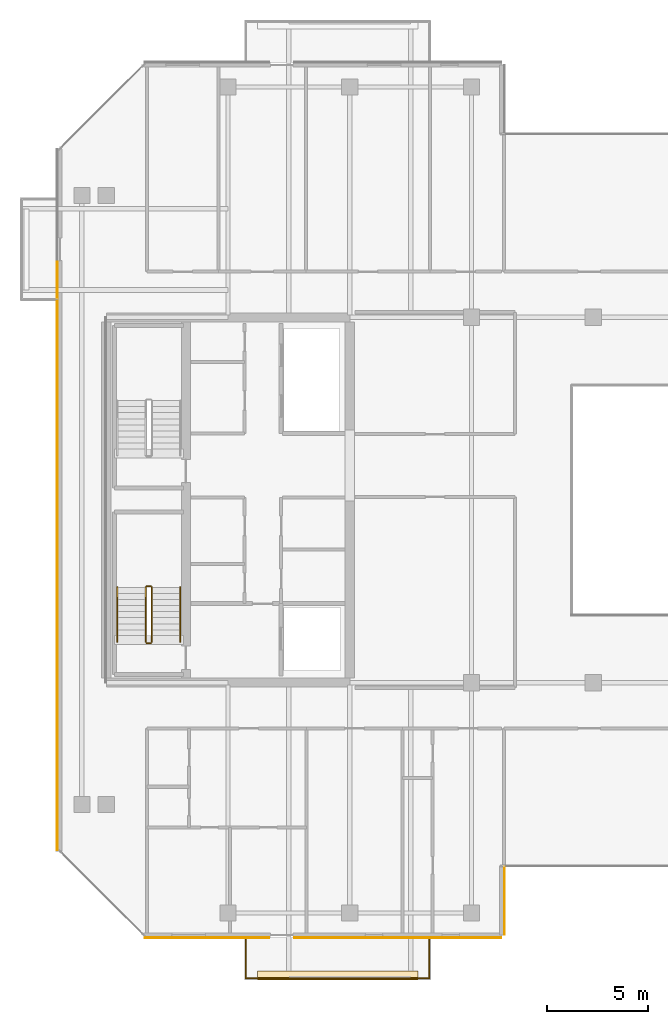
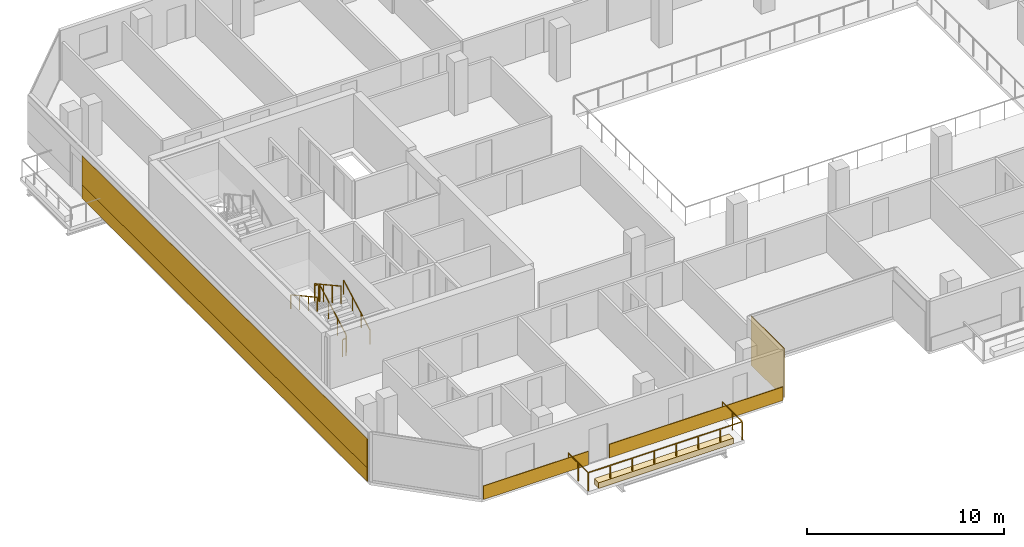
# One storey, part 25 of 29: 7 railings, 6 coverings.
"""IFC4 building model written with IfcOpenShell, lengths in metres."""

from ifc_helpers import new_model, si_unit, direction, frame, origin, origin_2d, place, context, subcontext, project, spatial, polyline, rectangle, outline, extrude, material, layer, layer_set, type_object, element, save


model = new_model("IFC4")

# Units and contexts
model_context = context("Model", 3, precision=1e-05, world=origin(), true_north=direction((0.0, 1.0)))
body_context = subcontext(model_context, "Body", "Model", "MODEL_VIEW")
ifc_project = project(units=[si_unit("LENGTHUNIT", "METRE"), si_unit("AREAUNIT", "SQUARE_METRE"), si_unit("VOLUMEUNIT", "CUBIC_METRE"), si_unit("PLANEANGLEUNIT", "RADIAN"), si_unit("MASSUNIT", "GRAM", prefix="KILO")], contexts=[model_context])

# Site, building, storey
site_placement = place(None, origin())
site = spatial("IfcSite", under=ifc_project, at=site_placement, CompositionType="ELEMENT")
building_placement = place(site_placement, origin())
building = spatial("IfcBuilding", under=site, at=building_placement, Name="Tanjung Sevakor Pilgrim Tower", CompositionType="ELEMENT")
storey_placement = place(building_placement, frame((0.0, 0.0, 181.830078125)))
storey = spatial("IfcBuildingStorey", under=building, at=storey_placement, Name="L50", CompositionType="ELEMENT", Elevation=181.830078125)

# Coverings
ifc_material_1 = material(Name="Reconstructed Limestone Cladding", Category="masonry")
ifc_layer_1 = layer(ifc_material_1, 0.044921875)
ifc_layer_set_1 = layer_set([ifc_layer_1], Name="COV-CLAD-LIMESTONE")
covering_type_1 = type_object("IfcCoveringType", Name="COV-CLAD-LIMESTONE", PredefinedType="CLADDING", material=ifc_layer_set_1)
covering_1_placement = place(storey_placement, frame((28.962890625, 12.027587890625, 0.009765625), z_axis=(0.0, 0.0, 1.0), x_axis=(1.0, 0.0, 0.0)))
element("IfcCovering", 1, at=covering_1_placement, inside=storey, type_object=covering_type_1, Name="L50 Warm Limestone Sill Spandrel EW-L50-MAIN-1-1", PredefinedType="CLADDING", context=body_context, shape_type="SweptSolid", body=[
    extrude(rectangle(XDim=6.154296875, YDim=0.044921875, at=origin_2d()), origin(), (0.0, 0.0, 1.0), 0.840087890625),
])
covering_2_placement = place(storey_placement, frame((38.35498046875, 12.027587890625, 0.009765625), z_axis=(0.0, 0.0, 1.0), x_axis=(1.0, 0.0, 0.0)))
element("IfcCovering", 2, at=covering_2_placement, inside=storey, type_object=covering_type_1, Name="L50 Warm Limestone Sill Spandrel EW-L50-MAIN-1-2", PredefinedType="CLADDING", context=body_context, shape_type="SweptSolid", body=[
    extrude(rectangle(XDim=10.18994140625, YDim=0.044921875, at=origin_2d()), origin(), (0.0, 0.0, 1.0), 0.840087890625),
])
covering_3_placement = place(storey_placement, frame((43.62255859375, 13.860107421875, 0.02001953125), z_axis=(0.0, 0.0, 1.0), x_axis=(0.0, 1.0, 0.0)))
element("IfcCovering", 3, at=covering_3_placement, inside=storey, type_object=covering_type_1, Name="L50 Warm Limestone Wall Cladding EW-L50-MAIN-2", PredefinedType="CLADDING", context=body_context, shape_type="SweptSolid", body=[
    extrude(rectangle(XDim=3.360107421875, YDim=0.044921875, at=origin_2d()), origin(), (0.0, 0.0, 1.0), 3.0400390625),
])
covering_4_placement = place(storey_placement, frame((21.577392578125, 30.837890625, 0.009765625), z_axis=(0.0, 0.0, 1.0), x_axis=(0.0, -1.0, 0.0)))
element("IfcCovering", 4, at=covering_4_placement, inside=storey, type_object=covering_type_1, Name="L50 Warm Limestone Sill Spandrel EW-L50-MAIN-15-2", PredefinedType="CLADDING", context=body_context, shape_type="SweptSolid", body=[
    extrude(rectangle(XDim=29.00439453125, YDim=0.044921875, at=origin_2d()), origin(), (0.0, 0.0, 1.0), 0.840087890625),
])
covering_5_placement = place(storey_placement, frame((21.577392578125, 30.8427734375, 0.849853515625), z_axis=(0.0, 0.0, 1.0), x_axis=(0.0, -1.0, 0.0)))
element("IfcCovering", 5, at=covering_5_placement, inside=storey, type_object=covering_type_1, Name="L50 Warm Limestone Pier Panel EW-L50-MAIN-15-2", PredefinedType="CLADDING", context=body_context, shape_type="SweptSolid", body=[
    extrude(rectangle(XDim=29.014404296875, YDim=0.044921875, at=origin_2d()), origin(), (0.0, 0.0, 1.0), 1.81005859375),
])
ifc_material_2 = material(Name="Vegetated Modular Planter Assembly", Category="organic")
ifc_layer_2 = layer(ifc_material_2, 0.35009765625)
ifc_layer_set_2 = layer_set([ifc_layer_2], Name="COV-GRN-TROUGH")
covering_type_2 = type_object("IfcCoveringType", Name="COV-GRN-TROUGH", PredefinedType="CLADDING", material=ifc_layer_set_2)
covering_6_placement = place(storey_placement, origin())
element("IfcCovering", 6, at=covering_6_placement, inside=storey, type_object=covering_type_2, Name="L50 Planted Landscape Hedge Trough BGRN-L50-MAIN-S1", PredefinedType="CLADDING", context=body_context, shape_type="SweptSolid", body=[
    extrude(outline(polyline([(31.449951171875, 9.949951171875), (39.35009765625, 9.949951171875), (39.35009765625, 10.389892578125), (31.449951171875, 10.389892578125), (31.449951171875, 9.949951171875)])), origin(), (0.0, 0.0, 1.0), 0.349853515625),
])

# Railings
ifc_material_3 = material(Name="Laminated Glass and Aluminium", Category="aluminium")
railing_type_1 = type_object("IfcRailingType", Name="RL-BAL-BALUST", PredefinedType="BALUSTRADE", material=ifc_material_3)
railing_1_placement = place(storey_placement, frame((30.8798828125, 12.050048828125, 0.0)))
element("IfcRailing", 7, at=railing_1_placement, inside=storey, type_object=railing_type_1, Name="L50 Loggia Balustrade MAIN-S1", PredefinedType="BALUSTRADE", context=body_context, shape_type="SweptSolid", body=[
    extrude(rectangle(XDim=0.0479, YDim=0.0479), frame((0.0, 0.0, 1.1259765625), z_axis=(0.0, -1.0, 0.0), x_axis=(1.0, 0.0, 0.0)), (0.0, 0.0, 1.0), 2.02001953125),
    extrude(rectangle(XDim=0.0479, YDim=0.0479), frame((0.0, -2.02001953125, 1.1259765625), z_axis=(1.0, 0.0, 0.0), x_axis=(0.0, 1.0, 0.0)), (0.0, 0.0, 1.0), 9.0400390625),
    extrude(rectangle(XDim=0.0479, YDim=0.0479), frame((9.0400390625, -2.02001953125, 1.1259765625), z_axis=(0.0, 1.0, 0.0), x_axis=(-1.0, 0.0, 0.0)), (0.0, 0.0, 1.0), 2.02001953125),
    extrude(rectangle(XDim=0.042, YDim=0.042), origin(), (0.0, 0.0, 1.0), 1.101806640625),
    extrude(rectangle(XDim=0.042, YDim=0.042), frame((0.0, -1.010009765625, 0.0)), (0.0, 0.0, 1.0), 1.101806640625),
    extrude(rectangle(XDim=0.042, YDim=0.042), frame((0.0, -2.02001953125, 0.0)), (0.0, 0.0, 1.0), 1.101806640625),
    extrude(rectangle(XDim=0.042, YDim=0.042), frame((1.29150390625, -2.02001953125, 0.0)), (0.0, 0.0, 1.0), 1.101806640625),
    extrude(rectangle(XDim=0.042, YDim=0.042), frame((2.582763671875, -2.02001953125, 0.0)), (0.0, 0.0, 1.0), 1.101806640625),
    extrude(rectangle(XDim=0.042, YDim=0.042), frame((3.874267578125, -2.02001953125, 0.0)), (0.0, 0.0, 1.0), 1.101806640625),
    extrude(rectangle(XDim=0.042, YDim=0.042), frame((5.165771484375, -2.02001953125, 0.0)), (0.0, 0.0, 1.0), 1.101806640625),
    extrude(rectangle(XDim=0.042, YDim=0.042), frame((6.457275390625, -2.02001953125, 0.0)), (0.0, 0.0, 1.0), 1.101806640625),
    extrude(rectangle(XDim=0.042, YDim=0.042), frame((7.74853515625, -2.02001953125, 0.0)), (0.0, 0.0, 1.0), 1.101806640625),
    extrude(rectangle(XDim=0.042, YDim=0.042), frame((9.0400390625, -2.02001953125, 0.0)), (0.0, 0.0, 1.0), 1.101806640625),
    extrude(rectangle(XDim=0.042, YDim=0.042), frame((9.0400390625, -1.010009765625, 0.0)), (0.0, 0.0, 1.0), 1.101806640625),
    extrude(rectangle(XDim=0.042, YDim=0.042), frame((9.0400390625, 0.0, 0.0)), (0.0, 0.0, 1.0), 1.101806640625),
])
ifc_material_4 = material(Name="Steel S355J2", Category="steel")
railing_type_2 = type_object("IfcRailingType", Name="RL-STAIR-GUARD", PredefinedType="GUARDRAIL", material=ifc_material_4)
railing_2_placement = place(storey_placement, frame((26.25, 26.60009765625, 0.1650390625)))
element("IfcRailing", 8, at=railing_2_placement, inside=storey, type_object=railing_type_2, Name="L50 TS-W1 stair guard 1", PredefinedType="GUARDRAIL", context=body_context, shape_type="SweptSolid", body=[
    extrude(rectangle(XDim=0.0479, YDim=0.0479), frame((0.0, 0.0, 1.076171875), z_axis=(0.0, 0.876230963923, 0.481891375584), x_axis=(-1.0, 0.0, 0.0)), (0.0, 0.0, 1.0), 3.081298828125),
    extrude(rectangle(XDim=0.042, YDim=0.042), origin(), (0.0, 0.0, 1.0), 1.052001953125),
    extrude(rectangle(XDim=0.042, YDim=0.042), frame((0.0, 0.89990234375, 0.494873046875)), (0.0, 0.0, 1.0), 1.052001953125),
    extrude(rectangle(XDim=0.042, YDim=0.042), frame((0.0, 1.800048828125, 0.989990234375)), (0.0, 0.0, 1.0), 1.052001953125),
    extrude(rectangle(XDim=0.042, YDim=0.042), frame((0.0, 2.699951171875, 1.48486328125)), (0.0, 0.0, 1.0), 1.052001953125),
])
railing_3_placement = place(storey_placement, frame((26.199951171875, 29.35009765625, 1.64990234375)))
element("IfcRailing", 9, at=railing_3_placement, inside=storey, type_object=railing_type_2, Name="L50 TS-W1 stair guard 2", PredefinedType="GUARDRAIL", context=body_context, shape_type="SweptSolid", body=[
    extrude(rectangle(XDim=0.0479, YDim=0.0479), frame((0.0, 0.0, 1.076171875), z_axis=(-1.0, 0.0, 0.0), x_axis=(0.0, -1.0, 0.0)), (0.0, 0.0, 1.0), 0.199951171875),
    extrude(rectangle(XDim=0.042, YDim=0.042), origin(), (0.0, 0.0, 1.0), 1.052001953125),
    extrude(rectangle(XDim=0.042, YDim=0.042), frame((-0.199951171875, 0.0, 0.0)), (0.0, 0.0, 1.0), 1.052001953125),
])
railing_4_placement = place(storey_placement, frame((25.949951171875, 29.300048828125, 1.81494140625)))
element("IfcRailing", 10, at=railing_4_placement, inside=storey, type_object=railing_type_2, Name="L50 TS-W1 stair guard 3", PredefinedType="GUARDRAIL", context=body_context, shape_type="SweptSolid", body=[
    extrude(rectangle(XDim=0.0479, YDim=0.0479), frame((0.0, 0.0, 1.076171875), z_axis=(0.0, -0.876230963923, 0.481891375584), x_axis=(1.0, 0.0, 0.0)), (0.0, 0.0, 1.0), 3.081298828125),
    extrude(rectangle(XDim=0.042, YDim=0.042), origin(), (0.0, 0.0, 1.0), 1.052001953125),
    extrude(rectangle(XDim=0.042, YDim=0.042), frame((0.0, -0.89990234375, 0.494873046875)), (0.0, 0.0, 1.0), 1.052001953125),
    extrude(rectangle(XDim=0.042, YDim=0.042), frame((0.0, -1.800048828125, 0.989990234375)), (0.0, 0.0, 1.0), 1.052001953125),
    extrude(rectangle(XDim=0.042, YDim=0.042), frame((0.0, -2.699951171875, 1.48486328125)), (0.0, 0.0, 1.0), 1.052001953125),
])
railing_5_placement = place(storey_placement, frame((26.199951171875, 26.550048828125, 0.0)))
element("IfcRailing", 11, at=railing_5_placement, inside=storey, type_object=railing_type_2, Name="L50 TS-W1 stair guard 4", PredefinedType="GUARDRAIL", context=body_context, shape_type="SweptSolid", body=[
    extrude(rectangle(XDim=0.0479, YDim=0.0479), frame((0.0, 0.0, 1.076171875), z_axis=(-1.0, 0.0, 0.0), x_axis=(0.0, -1.0, 0.0)), (0.0, 0.0, 1.0), 0.199951171875),
    extrude(rectangle(XDim=0.042, YDim=0.042), origin(), (0.0, 0.0, 1.0), 1.052001953125),
    extrude(rectangle(XDim=0.042, YDim=0.042), frame((-0.199951171875, 0.0, 0.0)), (0.0, 0.0, 1.0), 1.052001953125),
])
ifc_material_5 = material(Name="Steel S355J2", Category="steel")
railing_type_3 = type_object("IfcRailingType", Name="RL-STAIR-HAND", PredefinedType="HANDRAIL", material=ifc_material_5)
railing_6_placement = place(storey_placement, frame((27.64990234375, 26.60009765625, 0.1650390625)))
element("IfcRailing", 12, at=railing_6_placement, inside=storey, type_object=railing_type_3, Name="L50 TS-W1 stair handrail 1", PredefinedType="HANDRAIL", context=body_context, shape_type="SweptSolid", body=[
    extrude(rectangle(XDim=0.0479, YDim=0.0479), frame((0.0, 0.0, 0.8759765625), z_axis=(0.0, 0.876230963923, 0.481891375584), x_axis=(-1.0, 0.0, 0.0)), (0.0, 0.0, 1.0), 3.081298828125),
    extrude(rectangle(XDim=0.042, YDim=0.042), origin(), (0.0, 0.0, 1.0), 0.851806640625),
    extrude(rectangle(XDim=0.042, YDim=0.042), frame((0.0, 0.89990234375, 0.494873046875)), (0.0, 0.0, 1.0), 0.851806640625),
    extrude(rectangle(XDim=0.042, YDim=0.042), frame((0.0, 1.800048828125, 0.989990234375)), (0.0, 0.0, 1.0), 0.851806640625),
    extrude(rectangle(XDim=0.042, YDim=0.042), frame((0.0, 2.699951171875, 1.48486328125)), (0.0, 0.0, 1.0), 0.851806640625),
])
railing_7_placement = place(storey_placement, frame((24.550048828125, 29.300048828125, 1.81494140625)))
element("IfcRailing", 13, at=railing_7_placement, inside=storey, type_object=railing_type_3, Name="L50 TS-W1 stair handrail 2", PredefinedType="HANDRAIL", context=body_context, shape_type="SweptSolid", body=[
    extrude(rectangle(XDim=0.0479, YDim=0.0479), frame((0.0, 0.0, 0.8759765625), z_axis=(0.0, -0.876230963923, 0.481891375584), x_axis=(1.0, 0.0, 0.0)), (0.0, 0.0, 1.0), 3.081298828125),
    extrude(rectangle(XDim=0.042, YDim=0.042), origin(), (0.0, 0.0, 1.0), 0.851806640625),
    extrude(rectangle(XDim=0.042, YDim=0.042), frame((0.0, -0.89990234375, 0.494873046875)), (0.0, 0.0, 1.0), 0.851806640625),
    extrude(rectangle(XDim=0.042, YDim=0.042), frame((0.0, -1.800048828125, 0.989990234375)), (0.0, 0.0, 1.0), 0.851806640625),
    extrude(rectangle(XDim=0.042, YDim=0.042), frame((0.0, -2.699951171875, 1.48486328125)), (0.0, 0.0, 1.0), 0.851806640625),
])

save(model, "model.ifc")
